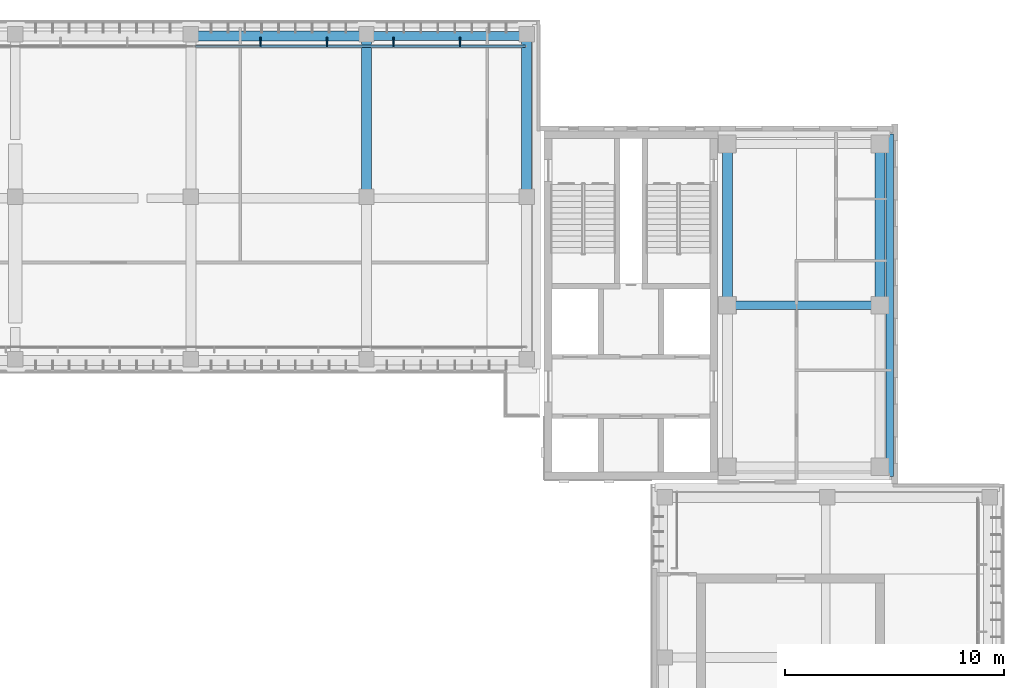
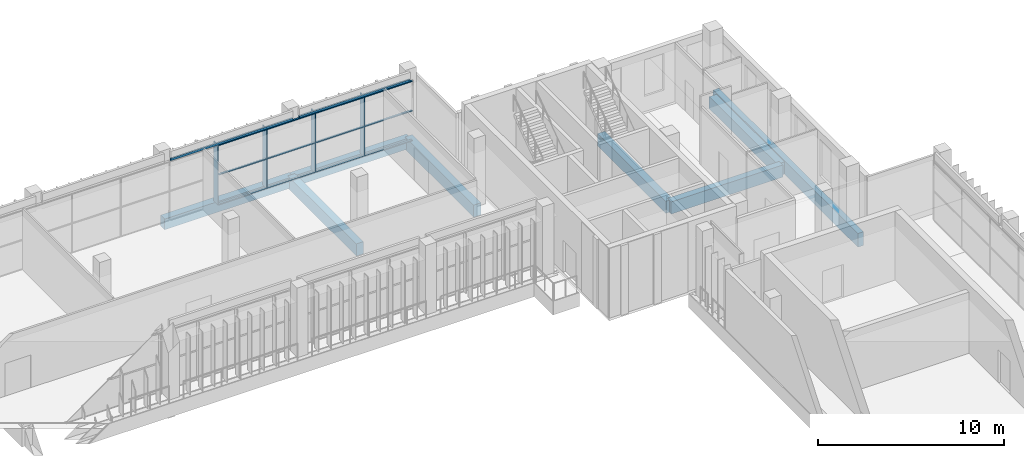
# One storey, part 34 of 73: 16 members, 10 beams, 1 element without a shape of its own.
"""IFC4 building model written with IfcOpenShell, lengths in metres."""

from ifc_helpers import new_model, si_unit, direction, frame, origin, origin_2d, place, context, subcontext, project, spatial, rectangle, hollow_rectangle, extrude, material, material_profile, profile_set, type_object, element, aggregate, save


model = new_model("IFC4")

# Units and contexts
model_context = context("Model", 3, precision=1e-05, world=origin(), true_north=direction((0.0, 1.0)))
body_context = subcontext(model_context, "Body", "Model", "MODEL_VIEW")
ifc_project = project(units=[si_unit("LENGTHUNIT", "METRE"), si_unit("AREAUNIT", "SQUARE_METRE"), si_unit("VOLUMEUNIT", "CUBIC_METRE"), si_unit("PLANEANGLEUNIT", "RADIAN"), si_unit("MASSUNIT", "GRAM", prefix="KILO")], contexts=[model_context])

# Site, building, storey
site_placement = place(None, origin())
site = spatial("IfcSite", under=ifc_project, at=site_placement, CompositionType="ELEMENT")
building_placement = place(site_placement, origin())
building = spatial("IfcBuilding", under=site, at=building_placement, Name="Lantern Court Media Centre", CompositionType="ELEMENT")
storey_placement = place(building_placement, frame((0.0, 0.0, 24.0)))
storey = spatial("IfcBuildingStorey", under=building, at=storey_placement, Name="L05", CompositionType="ELEMENT", Elevation=24.0)

# Curtain wall, members
ifc_material_1 = material(Name="Curtain wall bay 3000")
curtain_wall_type = type_object("IfcCurtainWallType", Name="Curtain wall bay 3000", PredefinedType="NOTDEFINED", material=ifc_material_1)
curtain_wall_placement = place(storey_placement, origin())
curtain_wall = element("IfcCurtainWall", 1, at=curtain_wall_placement, inside=storey, type_object=curtain_wall_type, Name="Curtain wall N outer L05", PredefinedType="NOTDEFINED")
ifc_material_2 = material(Name="Anodised aluminium", Category="aluminium")
ifc_material_profile_1 = material_profile(ifc_material_2, rectangle(XDim=0.449951171875, YDim=0.06005859375, at=origin_2d()), Name="AL 60x450")
ifc_profile_set_1 = profile_set([ifc_material_profile_1], Name="Anodised aluminium")
member_type_1 = type_object("IfcMemberType", Name="Curtain wall mullion 60x450", PredefinedType="MULLION", material=ifc_profile_set_1)
member_1_placement = place(storey_placement, frame((67.166748046875, 116.044921875, 0.0), z_axis=(0.0, 0.0, 1.0), x_axis=(0.0, 1.0, 0.0)))
member_1 = element("IfcMember", 2, at=member_1_placement, type_object=member_type_1, Name="CW1 mullion 15", PredefinedType="MULLION", context=body_context, shape_type="SweptSolid", body=[
    extrude(rectangle(XDim=0.449951171875, YDim=0.06005859375, at=origin_2d()), origin(), (0.0, 0.0, 1.0), 3.949951171875),
])
member_2_placement = place(storey_placement, frame((70.199951171875, 116.044921875, 0.0), z_axis=(0.0, 0.0, 1.0), x_axis=(0.0, 1.0, 0.0)))
member_2 = element("IfcMember", 3, at=member_2_placement, type_object=member_type_1, Name="CW1 mullion 16", PredefinedType="MULLION", context=body_context, shape_type="SweptSolid", body=[
    extrude(rectangle(XDim=0.449951171875, YDim=0.06005859375, at=origin_2d()), origin(), (0.0, 0.0, 1.0), 3.949951171875),
])
member_3_placement = place(storey_placement, frame((73.2333984375, 116.044921875, 0.0), z_axis=(0.0, 0.0, 1.0), x_axis=(0.0, 1.0, 0.0)))
member_3 = element("IfcMember", 4, at=member_3_placement, type_object=member_type_1, Name="CW1 mullion 17", PredefinedType="MULLION", context=body_context, shape_type="SweptSolid", body=[
    extrude(rectangle(XDim=0.449951171875, YDim=0.06005859375, at=origin_2d()), origin(), (0.0, 0.0, 1.0), 3.949951171875),
])
member_4_placement = place(storey_placement, frame((76.2666015625, 116.044921875, 0.0), z_axis=(0.0, 0.0, 1.0), x_axis=(0.0, 1.0, 0.0)))
member_4 = element("IfcMember", 5, at=member_4_placement, type_object=member_type_1, Name="CW1 mullion 18", PredefinedType="MULLION", context=body_context, shape_type="SweptSolid", body=[
    extrude(rectangle(XDim=0.449951171875, YDim=0.06005859375, at=origin_2d()), origin(), (0.0, 0.0, 1.0), 3.949951171875),
])
ifc_material_profile_2 = material_profile(ifc_material_2, rectangle(XDim=0.1201171875, YDim=0.06005859375, at=origin_2d()), Name="AL 60x120")
ifc_profile_set_2 = profile_set([ifc_material_profile_2], Name="Anodised aluminium")
member_type_2 = type_object("IfcMemberType", Name="Curtain wall transom 60x120", PredefinedType="USERDEFINED", material=ifc_profile_set_2)
member_5_placement = place(storey_placement, frame((67.19677734375, 115.85009765625, 0.030029296875), z_axis=(1.0, 0.0, 0.0), x_axis=(0.0, 1.0, 0.0)))
member_5 = element("IfcMember", 6, at=member_5_placement, type_object=member_type_2, Name="CW1 transom 15.1", ObjectType="TRANSOM", PredefinedType="USERDEFINED", context=body_context, shape_type="SweptSolid", body=[
    extrude(rectangle(XDim=0.1201171875, YDim=0.06005859375, at=origin_2d()), origin(), (0.0, 0.0, 1.0), 2.97314453125),
])
member_6_placement = place(storey_placement, frame((67.19677734375, 115.85009765625, 1.97509765625), z_axis=(1.0, 0.0, 0.0), x_axis=(0.0, 1.0, 0.0)))
member_6 = element("IfcMember", 7, at=member_6_placement, type_object=member_type_2, Name="CW1 transom 15.2", ObjectType="TRANSOM", PredefinedType="USERDEFINED", context=body_context, shape_type="SweptSolid", body=[
    extrude(rectangle(XDim=0.1201171875, YDim=0.06005859375, at=origin_2d()), origin(), (0.0, 0.0, 1.0), 2.97314453125),
])
member_7_placement = place(storey_placement, frame((67.19677734375, 115.85009765625, 3.919921875), z_axis=(1.0, 0.0, 0.0), x_axis=(0.0, 1.0, 0.0)))
member_7 = element("IfcMember", 8, at=member_7_placement, type_object=member_type_2, Name="CW1 transom 15.3", ObjectType="TRANSOM", PredefinedType="USERDEFINED", context=body_context, shape_type="SweptSolid", body=[
    extrude(rectangle(XDim=0.1201171875, YDim=0.06005859375, at=origin_2d()), origin(), (0.0, 0.0, 1.0), 2.97314453125),
])
member_8_placement = place(storey_placement, frame((70.22998046875, 115.85009765625, 0.030029296875), z_axis=(1.0, 0.0, 0.0), x_axis=(0.0, 1.0, 0.0)))
member_8 = element("IfcMember", 9, at=member_8_placement, type_object=member_type_2, Name="CW1 transom 16.1", ObjectType="TRANSOM", PredefinedType="USERDEFINED", context=body_context, shape_type="SweptSolid", body=[
    extrude(rectangle(XDim=0.1201171875, YDim=0.06005859375, at=origin_2d()), origin(), (0.0, 0.0, 1.0), 2.973388671875),
])
member_9_placement = place(storey_placement, frame((70.22998046875, 115.85009765625, 1.97509765625), z_axis=(1.0, 0.0, 0.0), x_axis=(0.0, 1.0, 0.0)))
member_9 = element("IfcMember", 10, at=member_9_placement, type_object=member_type_2, Name="CW1 transom 16.2", ObjectType="TRANSOM", PredefinedType="USERDEFINED", context=body_context, shape_type="SweptSolid", body=[
    extrude(rectangle(XDim=0.1201171875, YDim=0.06005859375, at=origin_2d()), origin(), (0.0, 0.0, 1.0), 2.973388671875),
])
member_10_placement = place(storey_placement, frame((70.22998046875, 115.85009765625, 3.919921875), z_axis=(1.0, 0.0, 0.0), x_axis=(0.0, 1.0, 0.0)))
member_10 = element("IfcMember", 11, at=member_10_placement, type_object=member_type_2, Name="CW1 transom 16.3", ObjectType="TRANSOM", PredefinedType="USERDEFINED", context=body_context, shape_type="SweptSolid", body=[
    extrude(rectangle(XDim=0.1201171875, YDim=0.06005859375, at=origin_2d()), origin(), (0.0, 0.0, 1.0), 2.973388671875),
])
member_11_placement = place(storey_placement, frame((73.263427734375, 115.85009765625, 0.030029296875), z_axis=(1.0, 0.0, 0.0), x_axis=(0.0, 1.0, 0.0)))
member_11 = element("IfcMember", 12, at=member_11_placement, type_object=member_type_2, Name="CW1 transom 17.1", ObjectType="TRANSOM", PredefinedType="USERDEFINED", context=body_context, shape_type="SweptSolid", body=[
    extrude(rectangle(XDim=0.1201171875, YDim=0.06005859375, at=origin_2d()), origin(), (0.0, 0.0, 1.0), 2.97314453125),
])
member_12_placement = place(storey_placement, frame((73.263427734375, 115.85009765625, 1.97509765625), z_axis=(1.0, 0.0, 0.0), x_axis=(0.0, 1.0, 0.0)))
member_12 = element("IfcMember", 13, at=member_12_placement, type_object=member_type_2, Name="CW1 transom 17.2", ObjectType="TRANSOM", PredefinedType="USERDEFINED", context=body_context, shape_type="SweptSolid", body=[
    extrude(rectangle(XDim=0.1201171875, YDim=0.06005859375, at=origin_2d()), origin(), (0.0, 0.0, 1.0), 2.97314453125),
])
member_13_placement = place(storey_placement, frame((73.263427734375, 115.85009765625, 3.919921875), z_axis=(1.0, 0.0, 0.0), x_axis=(0.0, 1.0, 0.0)))
member_13 = element("IfcMember", 14, at=member_13_placement, type_object=member_type_2, Name="CW1 transom 17.3", ObjectType="TRANSOM", PredefinedType="USERDEFINED", context=body_context, shape_type="SweptSolid", body=[
    extrude(rectangle(XDim=0.1201171875, YDim=0.06005859375, at=origin_2d()), origin(), (0.0, 0.0, 1.0), 2.97314453125),
])
member_14_placement = place(storey_placement, frame((76.296630859375, 115.85009765625, 0.030029296875), z_axis=(1.0, 0.0, 0.0), x_axis=(0.0, 1.0, 0.0)))
member_14 = element("IfcMember", 15, at=member_14_placement, type_object=member_type_2, Name="CW1 transom 18.1", ObjectType="TRANSOM", PredefinedType="USERDEFINED", context=body_context, shape_type="SweptSolid", body=[
    extrude(rectangle(XDim=0.1201171875, YDim=0.06005859375, at=origin_2d()), origin(), (0.0, 0.0, 1.0), 2.943359375),
])
member_15_placement = place(storey_placement, frame((76.296630859375, 115.85009765625, 1.97509765625), z_axis=(1.0, 0.0, 0.0), x_axis=(0.0, 1.0, 0.0)))
member_15 = element("IfcMember", 16, at=member_15_placement, type_object=member_type_2, Name="CW1 transom 18.2", ObjectType="TRANSOM", PredefinedType="USERDEFINED", context=body_context, shape_type="SweptSolid", body=[
    extrude(rectangle(XDim=0.1201171875, YDim=0.06005859375, at=origin_2d()), origin(), (0.0, 0.0, 1.0), 2.943359375),
])
member_16_placement = place(storey_placement, frame((76.296630859375, 115.85009765625, 3.919921875), z_axis=(1.0, 0.0, 0.0), x_axis=(0.0, 1.0, 0.0)))
member_16 = element("IfcMember", 17, at=member_16_placement, type_object=member_type_2, Name="CW1 transom 18.3", ObjectType="TRANSOM", PredefinedType="USERDEFINED", context=body_context, shape_type="SweptSolid", body=[
    extrude(rectangle(XDim=0.1201171875, YDim=0.06005859375, at=origin_2d()), origin(), (0.0, 0.0, 1.0), 2.943359375),
])
aggregate(curtain_wall, [member_1, member_2, member_3, member_4, member_5, member_6, member_7, member_8, member_9, member_10, member_11, member_12, member_13, member_14, member_15, member_16])

# Beams
ifc_material_3 = material(Name="Steel S355J2 (EN 10025-2)", Category="steel")
ifc_material_profile_3 = material_profile(ifc_material_3, hollow_rectangle(XDim=0.10009765625, YDim=0.14990234375, WallThickness=0.00634765625, InnerFilletRadius=0.00634765625, OuterFilletRadius=0.009521484375, at=origin_2d()), Name="Facade head lintel RHS 150x100x6.3")
ifc_profile_set_3 = profile_set([ifc_material_profile_3], Name="Steel S355J2 (EN 10025-2)")
beam_type_1 = type_object("IfcBeamType", Name="Facade head lintel RHS 150x100x6.3", PredefinedType="BEAM", material=ifc_profile_set_3)
beam_1_placement = place(storey_placement, frame((64.199951171875, 115.85009765625, 4.02490234375), z_axis=(1.0, 0.0, 0.0), x_axis=(0.0, 1.0, 0.0)))
element("IfcBeam", 18, at=beam_1_placement, inside=storey, type_object=beam_type_1, Name="Facade head lintel N L05", PredefinedType="BEAM", context=body_context, shape_type="SweptSolid", body=[
    extrude(hollow_rectangle(XDim=0.10009765625, YDim=0.14990234375, WallThickness=0.00634765625, InnerFilletRadius=0.00634765625, OuterFilletRadius=0.009521484375, at=origin_2d()), origin(), (0.0, 0.0, 1.0), 7.60009765625),
])
beam_2_placement = place(storey_placement, frame((72.199951171875, 115.85009765625, 4.02490234375), z_axis=(1.0, 0.0, 0.0), x_axis=(0.0, 1.0, 0.0)))
element("IfcBeam", 19, at=beam_2_placement, inside=storey, type_object=beam_type_1, Name="Facade head lintel N L05", PredefinedType="BEAM", context=body_context, shape_type="SweptSolid", body=[
    extrude(hollow_rectangle(XDim=0.10009765625, YDim=0.14990234375, WallThickness=0.00634765625, InnerFilletRadius=0.00634765625, OuterFilletRadius=0.009521484375, at=origin_2d()), origin(), (0.0, 0.0, 1.0), 6.900146484375),
])
ifc_material_4 = material(Name="Concrete C35", Category="concrete")
ifc_material_profile_4 = material_profile(ifc_material_4, rectangle(XDim=0.35009765625, YDim=0.89990234375, at=origin_2d()), Name="RC 350x900")
ifc_profile_set_4 = profile_set([ifc_material_profile_4], Name="Concrete C35")
beam_type_2 = type_object("IfcBeamType", Name="RC BEAM 350x900", PredefinedType="BEAM", material=ifc_profile_set_4)
beam_3_placement = place(storey_placement, frame((95.85009765625, 96.25, -0.449951171875), z_axis=(0.0, 1.0, 0.0), x_axis=(-1.0, 0.0, 0.0)))
element("IfcBeam", 20, at=beam_3_placement, inside=storey, type_object=beam_type_2, Name="EB-NE-L05-E", PredefinedType="BEAM", context=body_context, shape_type="SweptSolid", body=[
    extrude(rectangle(XDim=0.35009765625, YDim=0.89990234375, at=origin_2d()), origin(), (0.0, 0.0, 1.0), 15.60009765625),
])
ifc_material_profile_5 = material_profile(ifc_material_4, rectangle(XDim=0.39990234375, YDim=0.699951171875, at=origin_2d()), Name="RC 400x700")
ifc_profile_set_5 = profile_set([ifc_material_profile_5], Name="Concrete C35")
beam_type_3 = type_object("IfcBeamType", Name="RC BEAM 400x700", PredefinedType="BEAM", material=ifc_profile_set_5)
beam_4_placement = place(storey_placement, frame((72.0, 116.3271484375, -0.35009765625), z_axis=(1.0, 0.0, 0.0), x_axis=(0.0, 1.0, 0.0)))
element("IfcBeam", 21, at=beam_4_placement, inside=storey, type_object=beam_type_3, Name="LB-N-L05-2-6", PredefinedType="BEAM", context=body_context, shape_type="SweptSolid", body=[
    extrude(rectangle(XDim=0.39990234375, YDim=0.699951171875, at=origin_2d()), origin(), (0.0, 0.0, 1.0), 7.300048828125),
])
ifc_material_profile_6 = material_profile(ifc_material_4, rectangle(XDim=0.39990234375, YDim=0.800048828125, at=origin_2d()), Name="RC 400x800")
ifc_profile_set_6 = profile_set([ifc_material_profile_6], Name="Concrete C35")
beam_type_4 = type_object("IfcBeamType", Name="RC BEAM 400x800", PredefinedType="BEAM", material=ifc_profile_set_6)
beam_5_placement = place(storey_placement, frame((88.449951171875, 104.050048828125, -0.39990234375), z_axis=(1.0, 0.0, 0.0), x_axis=(0.0, 1.0, 0.0)))
element("IfcBeam", 22, at=beam_5_placement, inside=storey, type_object=beam_type_4, Name="BB-NE-L05-Y0-104", PredefinedType="BEAM", context=body_context, shape_type="SweptSolid", body=[
    extrude(rectangle(XDim=0.39990234375, YDim=0.800048828125, at=origin_2d()), origin(), (0.0, 0.0, 1.0), 6.949951171875),
])
ifc_material_profile_7 = material_profile(ifc_material_4, rectangle(XDim=0.449951171875, YDim=0.699951171875, at=origin_2d()), Name="RC 450x700")
ifc_profile_set_7 = profile_set([ifc_material_profile_7], Name="Concrete C35")
beam_type_5 = type_object("IfcBeamType", Name="RC BEAM 450x700", PredefinedType="BEAM", material=ifc_profile_set_7)
beam_6_placement = place(storey_placement, frame((64.0, 116.3271484375, -0.35009765625), z_axis=(1.0, 0.0, 0.0), x_axis=(0.0, 1.0, 0.0)))
element("IfcBeam", 23, at=beam_6_placement, inside=storey, type_object=beam_type_5, Name="LB-N-L05-2-5", PredefinedType="BEAM", context=body_context, shape_type="SweptSolid", body=[
    extrude(rectangle(XDim=0.449951171875, YDim=0.699951171875, at=origin_2d()), origin(), (0.0, 0.0, 1.0), 8.0),
])
ifc_material_profile_8 = material_profile(ifc_material_4, rectangle(XDim=0.449951171875, YDim=0.800048828125, at=origin_2d()), Name="RC 450x800")
ifc_profile_set_8 = profile_set([ifc_material_profile_8], Name="Concrete C35")
beam_type_6 = type_object("IfcBeamType", Name="RC BEAM 450x800", PredefinedType="BEAM", material=ifc_profile_set_8)
for number, where, z_axis, x_axis, name in (
    (24, (88.449951171875, 104.050048828125, -0.39990234375), (0.0, 1.0, 0.0), (-1.0, 0.0, 0.0), "BB-NE-L05-X1-88"),
    (25, (95.39990234375, 104.050048828125, -0.39990234375), (0.0, 1.0, 0.0), (-1.0, 0.0, 0.0), "BB-NE-L05-X1-95"),
):
    element("IfcBeam", number, at=place(storey_placement, frame(where, z_axis=z_axis, x_axis=x_axis)), inside=storey, type_object=beam_type_6, Name=name, PredefinedType="BEAM", context=body_context, shape_type="SweptSolid", body=[
        extrude(rectangle(XDim=0.449951171875, YDim=0.800048828125, at=origin_2d()), origin(), (0.0, 0.0, 1.0), 7.349853515625),
    ])
for number, where, z_axis, x_axis, name in (
    (26, (72.0, 108.916748046875, -0.39990234375), (0.0, 1.0, 0.0), (-1.0, 0.0, 0.0), "TB-N-L05-6-2"),
    (27, (79.300048828125, 108.916748046875, -0.39990234375), (0.0, 1.0, 0.0), (-1.0, 0.0, 0.0), "TB-N-L05-7-2"),
):
    element("IfcBeam", number, at=place(storey_placement, frame(where, z_axis=z_axis, x_axis=x_axis)), inside=storey, type_object=beam_type_6, Name=name, PredefinedType="BEAM", context=body_context, shape_type="SweptSolid", body=[
        extrude(rectangle(XDim=0.449951171875, YDim=0.800048828125, at=origin_2d()), origin(), (0.0, 0.0, 1.0), 7.39990234375),
    ])

save(model, "model.ifc")
